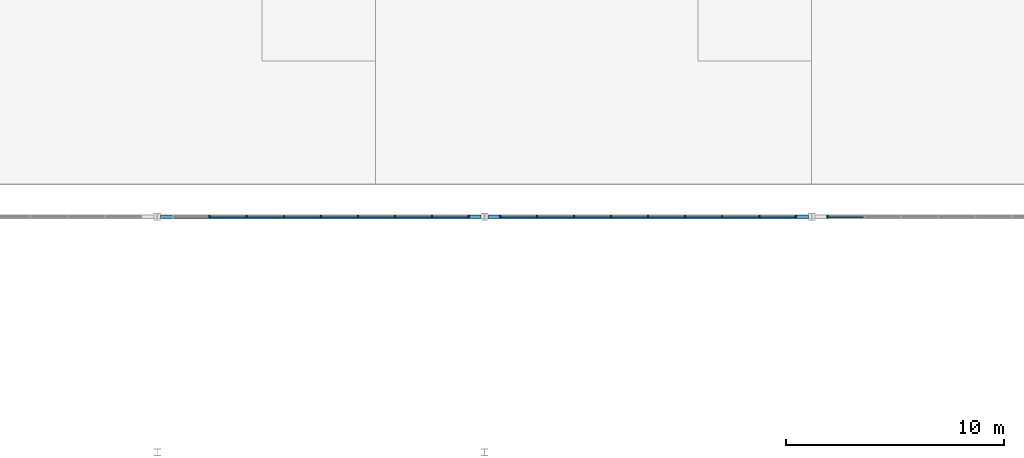
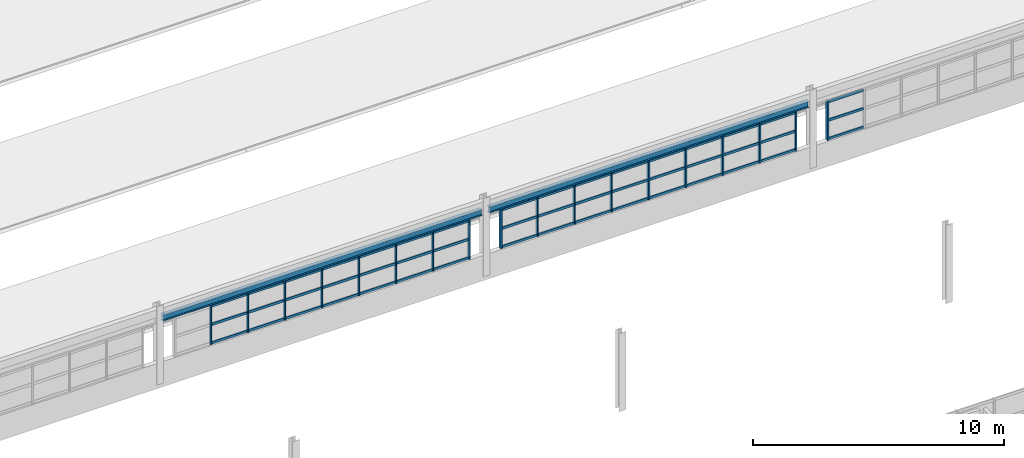
# One storey, part 20 of 90: 66 members, 2 beams, 3 elements without a shape of their own.
"""IFC4 building model written with IfcOpenShell, lengths in metres."""

import ifcopenshell
import ifcopenshell.guid

model = None  # the IFC model being written
_history = None  # IfcOwnerHistory: only IFC2X3 demands one
_inside = {}  # id of a spatial element -> (the spatial element, [elements in it])
_under = {}  # id of a project, library or spatial element -> (it, [spatial elements below it])
_declared = {}  # id of a project -> (the project, [libraries it declares])
_typed = {}  # id of a type object -> (the type object, [elements of that type])
_made_of = {}  # id of a material, layer set ... -> (it, [elements and type objects made of it])


def new_model(schema):
    """Start an empty IFC model of exactly this schema.

    Asked for "IFC4X3", IfcOpenShell would pick the latest addendum, in which some entities
    have other attributes; the version numbers below select the first issue.
    IFC2X3 requires an IfcOwnerHistory on every rooted entity: one is made here for all.
    """
    global model, _history
    if schema == "IFC4X3":
        model = ifcopenshell.file(schema_version=(4, 3, 0, 0))
    else:
        model = ifcopenshell.file(schema=schema)
    _inside.clear()
    _under.clear()
    _declared.clear()
    _typed.clear()
    _made_of.clear()
    _history = None
    if model.schema == "IFC2X3":
        org = make("IfcOrganization", Name="unknown")
        user = make(
            "IfcPersonAndOrganization",
            ThePerson=make("IfcPerson", FamilyName="unknown"),
            TheOrganization=org,
        )
        app = make(
            "IfcApplication",
            ApplicationDeveloper=org,
            Version="unknown",
            ApplicationFullName="unknown",
            ApplicationIdentifier="unknown",
        )
        _history = make(
            "IfcOwnerHistory",
            OwningUser=user,
            OwningApplication=app,
            ChangeAction="ADDED",
            CreationDate=0,
        )
    return model


def make(cls, **values):
    """One entity of the class cls with the attributes given. An attribute that is None is left unset."""
    return model.create_entity(
        cls, **{name: value for name, value in values.items() if value is not None}
    )


def rooted(cls, **values):
    """An entity with a GlobalId (a new one), such as an element, a storey or a relation."""
    return make(cls, GlobalId=ifcopenshell.guid.new(), OwnerHistory=_history, **values)


def si_unit(unit_type, name, prefix=None):
    """IfcSIUnit, for example si_unit("LENGTHUNIT", "METRE", prefix="MILLI")."""
    return make("IfcSIUnit", UnitType=unit_type, Prefix=prefix, Name=name)


def assignment(units):
    """IfcUnitAssignment: the units of a project."""
    return None if units is None else make("IfcUnitAssignment", Units=units)


def point(xyz):
    """IfcCartesianPoint."""
    return None if xyz is None else make("IfcCartesianPoint", Coordinates=xyz)


def direction(xyz):
    """IfcDirection."""
    return None if xyz is None else make("IfcDirection", DirectionRatios=xyz)


def frame(location, z_axis=None, x_axis=None):
    """IfcAxis2Placement3D, a coordinate frame: its origin and axes. An axis left out is left unset."""
    return make(
        "IfcAxis2Placement3D",
        Location=point(location),
        Axis=direction(z_axis),
        RefDirection=direction(x_axis),
    )


def frame_2d(location, x_axis=None):
    """IfcAxis2Placement2D, a coordinate frame in the plane: its origin and x axis."""
    return make(
        "IfcAxis2Placement2D", Location=point(location), RefDirection=direction(x_axis)
    )


def origin():
    """The frame at (0, 0, 0) with its axes left unset."""
    return frame((0.0, 0.0, 0.0))


def origin_2d():
    """The frame at (0, 0) in the plane with its x axis left unset."""
    return frame_2d((0.0, 0.0))


def place(relative_to, where):
    """IfcLocalPlacement: puts the frame where relative to a parent placement (None: the world)."""
    return make(
        "IfcLocalPlacement", PlacementRelTo=relative_to, RelativePlacement=where
    )


def context(
    kind, dimensions, precision=None, world=None, true_north=None, identifier=None
):
    """IfcGeometricRepresentationContext, for example the 3D "Model" context."""
    return make(
        "IfcGeometricRepresentationContext",
        ContextIdentifier=identifier,
        ContextType=kind,
        CoordinateSpaceDimension=dimensions,
        Precision=precision,
        WorldCoordinateSystem=world,
        TrueNorth=true_north,
    )


def subcontext(parent, identifier, kind, view, scale=None):
    """IfcGeometricRepresentationSubContext, for example "Body" below "Model"."""
    return make(
        "IfcGeometricRepresentationSubContext",
        ContextIdentifier=identifier,
        ContextType=kind,
        ParentContext=parent,
        TargetScale=scale,
        TargetView=view,
    )


def project(units=None, contexts=None):
    """IfcProject with its units and contexts."""
    return rooted(
        "IfcProject",
        Name="project",
        RepresentationContexts=contexts,
        UnitsInContext=assignment(units),
    )


def spatial(cls, under=None, at=None, **own):
    """A site, building, storey or space (cls), placed at a placement, below another one or the project."""
    s = rooted(cls, ObjectPlacement=at, **own)
    if under is not None:
        _under.setdefault(under.id(), (under, []))[1].append(s)
    return s


def profile(cls, at=None, kind="AREA", **sizes):
    """A parametric profile (cls). Its sizes go by their IFC names, for example OverallWidth=200.0."""
    return make(cls, ProfileType=kind, Position=at, **sizes)


def rectangle(**sizes):
    """IfcRectangleProfileDef."""
    return profile("IfcRectangleProfileDef", **sizes)


def i_section(**sizes):
    """IfcIShapeProfileDef."""
    return profile("IfcIShapeProfileDef", **sizes)


def extrude(swept, where, along, depth):
    """IfcExtrudedAreaSolid: the profile swept, set in the frame where, extruded along a direction by depth."""
    return make(
        "IfcExtrudedAreaSolid",
        SweptArea=swept,
        Position=where,
        ExtrudedDirection=direction(along),
        Depth=depth,
    )


def shape(context_of_items, identifier, shape_type, items):
    """IfcShapeRepresentation: the items that make up one representation, for example the "Body"."""
    return make(
        "IfcShapeRepresentation",
        ContextOfItems=context_of_items,
        RepresentationIdentifier=identifier,
        RepresentationType=shape_type,
        Items=items,
    )


def material(Name=None, Category=None):
    """IfcMaterial."""
    return make("IfcMaterial", Name=Name, Category=Category)


def material_profile(
    of_material, cross_section, Name=None, Category=None, Priority=None
):
    """IfcMaterialProfile: a cross section and its material."""
    return make(
        "IfcMaterialProfile",
        Name=Name,
        Material=of_material,
        Profile=cross_section,
        Priority=Priority,
        Category=Category,
    )


def profile_set(profiles, Name=None, composite=None):
    """IfcMaterialProfileSet."""
    return make(
        "IfcMaterialProfileSet",
        Name=Name,
        MaterialProfiles=profiles,
        CompositeProfile=composite,
    )


def made_of(thing, what):
    """Note that an element or type object is made of a material, layer set ...; save() writes the relation."""
    if what is not None:
        _made_of.setdefault(what.id(), (what, []))[1].append(thing)
    return thing


def type_object(cls, material=None, **own):
    """A type object (cls), such as IfcWallType, which elements share."""
    return made_of(rooted(cls, **own), material)


def element(
    cls,
    number,
    at=None,
    inside=None,
    cuts=None,
    type_object=None,
    material=None,
    context=None,
    identifier="Body",
    shape_type=None,
    held_by="IfcProductDefinitionShape",
    body=None,
    shapes=None,
    **own,
):
    """One element of the class cls, such as IfcWall. Its Tag is "e" and its number.

    at: its placement. inside: the storey or other place that contains it. cuts: it is an
    opening in that element (IfcRelVoidsElement). A single representation is given by context,
    identifier, shape_type and body (its items); several are given by shapes. held_by: the class
    of the entity that holds the representations. save() writes the other relations.
    """
    e = rooted(cls, Tag="e%d" % number, ObjectPlacement=at, **own)
    if body is not None:
        shapes = [shape(context, identifier, shape_type, body)]
    if shapes is not None:
        e.Representation = make(held_by, Representations=shapes)
    if inside is not None:
        _inside.setdefault(inside.id(), (inside, []))[1].append(e)
    if cuts is not None:
        rooted(
            "IfcRelVoidsElement", RelatingBuildingElement=cuts, RelatedOpeningElement=e
        )
    if type_object is not None:
        _typed.setdefault(type_object.id(), (type_object, []))[1].append(e)
    return made_of(e, material)


def aggregate(whole, parts):
    """IfcRelAggregates: a whole, such as a stair, and the parts it consists of."""
    return rooted("IfcRelAggregates", RelatingObject=whole, RelatedObjects=parts)


def save(model, path):
    """Write the relations noted so far, then the file.

    IfcRelAggregates (storeys below a building ...), IfcRelContainedInSpatialStructure (elements
    in a storey), IfcRelDefinesByType, IfcRelAssociatesMaterial and IfcRelDeclares: one each for
    every whole, place, type object, material and project.
    """
    for whole, parts in _under.values():
        aggregate(whole, parts)
    for where, things in _inside.values():
        rooted(
            "IfcRelContainedInSpatialStructure",
            RelatedElements=things,
            RelatingStructure=where,
        )
    for kind, things in _typed.values():
        rooted("IfcRelDefinesByType", RelatedObjects=things, RelatingType=kind)
    for what, things in _made_of.values():
        rooted("IfcRelAssociatesMaterial", RelatedObjects=things, RelatingMaterial=what)
    for by, libraries in _declared.values():
        rooted("IfcRelDeclares", RelatingContext=by, RelatedDefinitions=libraries)
    model.write(path)


model = new_model("IFC4")

# Units and contexts
model_context = context("Model", 3, precision=1e-05, world=origin(), true_north=direction((0.0, 1.0)))
body_context = subcontext(model_context, "Body", "Model", "MODEL_VIEW")
ifc_project = project(units=[si_unit("LENGTHUNIT", "METRE"), si_unit("AREAUNIT", "SQUARE_METRE"), si_unit("VOLUMEUNIT", "CUBIC_METRE"), si_unit("PLANEANGLEUNIT", "RADIAN"), si_unit("MASSUNIT", "GRAM", prefix="KILO")], contexts=[model_context])

# Site, building, storey
site_placement = place(None, origin())
site = spatial("IfcSite", under=ifc_project, at=site_placement, CompositionType="ELEMENT")
building_placement = place(site_placement, origin())
building = spatial("IfcBuilding", under=site, at=building_placement, Name="Solanera Park Tramway Depot", CompositionType="ELEMENT")
storey_placement = place(building_placement, frame((0.0, 0.0, 9.0)))
storey = spatial("IfcBuildingStorey", under=building, at=storey_placement, Name="L02", CompositionType="ELEMENT", Elevation=9.0)

# Curtain wall, members
ifc_material_1 = material(Name="Bronze-anodised thermally broken aluminium curtain wall", Category="aluminium")
curtain_wall_type = type_object("IfcCurtainWallType", Name="Workshop Daylight Ribbon Curtain Wall", PredefinedType="NOTDEFINED", material=ifc_material_1)
curtain_wall_1_placement = place(storey_placement, origin())
curtain_wall_1 = element("IfcCurtainWall", 1, at=curtain_wall_1_placement, inside=storey, type_object=curtain_wall_type, Name="L02 Workshop Daylight Ribbon Curtain Wall #156", PredefinedType="NOTDEFINED")
ifc_material_2 = material(Name="Bronze-anodised structural aluminium 6063-T6", Category="aluminium")
ifc_material_profile_1 = material_profile(ifc_material_2, rectangle(XDim=0.06494140625, YDim=0.14990234375, at=origin_2d()), Name="Curtain Wall Mullion 65x150")
ifc_profile_set_1 = profile_set([ifc_material_profile_1], Name="Bronze-anodised structural aluminium 6063-T6")
member_type_1 = type_object("IfcMemberType", Name="Curtain Wall Mullion 65x150", PredefinedType="MULLION", material=ifc_profile_set_1)
member_1_placement = place(storey_placement, frame((44.267578125, 54.0, 1.0), z_axis=(0.0, 0.0, 1.0), x_axis=(1.0, 0.0, 0.0)))
member_1 = element("IfcMember", 2, at=member_1_placement, type_object=member_type_1, Name="CW-L02-156 Mullion 1", PredefinedType="MULLION", context=body_context, shape_type="SweptSolid", body=[
    extrude(rectangle(XDim=0.06494140625, YDim=0.14990234375, at=origin_2d()), origin(), (0.0, 0.0, 1.0), 1.919921875),
])
member_2_placement = place(storey_placement, frame((42.60009765625, 54.0, 1.0), z_axis=(0.0, 0.0, 1.0), x_axis=(1.0, 0.0, 0.0)))
member_2 = element("IfcMember", 3, at=member_2_placement, type_object=member_type_1, Name="CW-L02-156 Mullion 2", PredefinedType="MULLION", context=body_context, shape_type="SweptSolid", body=[
    extrude(rectangle(XDim=0.06494140625, YDim=0.14990234375, at=origin_2d()), origin(), (0.0, 0.0, 1.0), 1.919921875),
])
member_3_placement = place(storey_placement, frame((40.89990234375, 54.0, 1.0), z_axis=(0.0, 0.0, 1.0), x_axis=(1.0, 0.0, 0.0)))
member_3 = element("IfcMember", 4, at=member_3_placement, type_object=member_type_1, Name="CW-L02-156 Mullion 3", PredefinedType="MULLION", context=body_context, shape_type="SweptSolid", body=[
    extrude(rectangle(XDim=0.06494140625, YDim=0.14990234375, at=origin_2d()), origin(), (0.0, 0.0, 1.0), 1.919921875),
])
member_4_placement = place(storey_placement, frame((39.199951171875, 54.0, 1.0), z_axis=(0.0, 0.0, 1.0), x_axis=(1.0, 0.0, 0.0)))
member_4 = element("IfcMember", 5, at=member_4_placement, type_object=member_type_1, Name="CW-L02-156 Mullion 4", PredefinedType="MULLION", context=body_context, shape_type="SweptSolid", body=[
    extrude(rectangle(XDim=0.06494140625, YDim=0.14990234375, at=origin_2d()), origin(), (0.0, 0.0, 1.0), 1.919921875),
])
member_5_placement = place(storey_placement, frame((37.5, 54.0, 1.0), z_axis=(0.0, 0.0, 1.0), x_axis=(1.0, 0.0, 0.0)))
member_5 = element("IfcMember", 6, at=member_5_placement, type_object=member_type_1, Name="CW-L02-156 Mullion 5", PredefinedType="MULLION", context=body_context, shape_type="SweptSolid", body=[
    extrude(rectangle(XDim=0.06494140625, YDim=0.14990234375, at=origin_2d()), origin(), (0.0, 0.0, 1.0), 1.919921875),
])
member_6_placement = place(storey_placement, frame((35.800048828125, 54.0, 1.0), z_axis=(0.0, 0.0, 1.0), x_axis=(1.0, 0.0, 0.0)))
member_6 = element("IfcMember", 7, at=member_6_placement, type_object=member_type_1, Name="CW-L02-156 Mullion 6", PredefinedType="MULLION", context=body_context, shape_type="SweptSolid", body=[
    extrude(rectangle(XDim=0.06494140625, YDim=0.14990234375, at=origin_2d()), origin(), (0.0, 0.0, 1.0), 1.919921875),
])
member_7_placement = place(storey_placement, frame((34.10009765625, 54.0, 1.0), z_axis=(0.0, 0.0, 1.0), x_axis=(1.0, 0.0, 0.0)))
member_7 = element("IfcMember", 8, at=member_7_placement, type_object=member_type_1, Name="CW-L02-156 Mullion 7", PredefinedType="MULLION", context=body_context, shape_type="SweptSolid", body=[
    extrude(rectangle(XDim=0.06494140625, YDim=0.14990234375, at=origin_2d()), origin(), (0.0, 0.0, 1.0), 1.919921875),
])
member_8_placement = place(storey_placement, frame((32.39990234375, 54.0, 1.0), z_axis=(0.0, 0.0, 1.0), x_axis=(1.0, 0.0, 0.0)))
member_8 = element("IfcMember", 9, at=member_8_placement, type_object=member_type_1, Name="CW-L02-156 Mullion 8", PredefinedType="MULLION", context=body_context, shape_type="SweptSolid", body=[
    extrude(rectangle(XDim=0.06494140625, YDim=0.14990234375, at=origin_2d()), origin(), (0.0, 0.0, 1.0), 1.919921875),
])

curtain_wall_2_placement = place(storey_placement, origin())
curtain_wall_2 = element("IfcCurtainWall", 10, at=curtain_wall_2_placement, inside=storey, type_object=curtain_wall_type, Name="L02 Workshop Daylight Ribbon Curtain Wall #158", PredefinedType="NOTDEFINED")
member_9_placement = place(storey_placement, frame((59.267578125, 54.0, 1.0), z_axis=(0.0, 0.0, 1.0), x_axis=(1.0, 0.0, 0.0)))
member_9 = element("IfcMember", 11, at=member_9_placement, type_object=member_type_1, Name="CW-L02-158 Mullion 1", PredefinedType="MULLION", context=body_context, shape_type="SweptSolid", body=[
    extrude(rectangle(XDim=0.06494140625, YDim=0.14990234375, at=origin_2d()), origin(), (0.0, 0.0, 1.0), 1.919921875),
])
member_10_placement = place(storey_placement, frame((57.60009765625, 54.0, 1.0), z_axis=(0.0, 0.0, 1.0), x_axis=(1.0, 0.0, 0.0)))
member_10 = element("IfcMember", 12, at=member_10_placement, type_object=member_type_1, Name="CW-L02-158 Mullion 2", PredefinedType="MULLION", context=body_context, shape_type="SweptSolid", body=[
    extrude(rectangle(XDim=0.06494140625, YDim=0.14990234375, at=origin_2d()), origin(), (0.0, 0.0, 1.0), 1.919921875),
])
member_11_placement = place(storey_placement, frame((55.89990234375, 54.0, 1.0), z_axis=(0.0, 0.0, 1.0), x_axis=(1.0, 0.0, 0.0)))
member_11 = element("IfcMember", 13, at=member_11_placement, type_object=member_type_1, Name="CW-L02-158 Mullion 3", PredefinedType="MULLION", context=body_context, shape_type="SweptSolid", body=[
    extrude(rectangle(XDim=0.06494140625, YDim=0.14990234375, at=origin_2d()), origin(), (0.0, 0.0, 1.0), 1.919921875),
])
member_12_placement = place(storey_placement, frame((54.199951171875, 54.0, 1.0), z_axis=(0.0, 0.0, 1.0), x_axis=(1.0, 0.0, 0.0)))
member_12 = element("IfcMember", 14, at=member_12_placement, type_object=member_type_1, Name="CW-L02-158 Mullion 4", PredefinedType="MULLION", context=body_context, shape_type="SweptSolid", body=[
    extrude(rectangle(XDim=0.06494140625, YDim=0.14990234375, at=origin_2d()), origin(), (0.0, 0.0, 1.0), 1.919921875),
])
member_13_placement = place(storey_placement, frame((52.5, 54.0, 1.0), z_axis=(0.0, 0.0, 1.0), x_axis=(1.0, 0.0, 0.0)))
member_13 = element("IfcMember", 15, at=member_13_placement, type_object=member_type_1, Name="CW-L02-158 Mullion 5", PredefinedType="MULLION", context=body_context, shape_type="SweptSolid", body=[
    extrude(rectangle(XDim=0.06494140625, YDim=0.14990234375, at=origin_2d()), origin(), (0.0, 0.0, 1.0), 1.919921875),
])
member_14_placement = place(storey_placement, frame((50.800048828125, 54.0, 1.0), z_axis=(0.0, 0.0, 1.0), x_axis=(1.0, 0.0, 0.0)))
member_14 = element("IfcMember", 16, at=member_14_placement, type_object=member_type_1, Name="CW-L02-158 Mullion 6", PredefinedType="MULLION", context=body_context, shape_type="SweptSolid", body=[
    extrude(rectangle(XDim=0.06494140625, YDim=0.14990234375, at=origin_2d()), origin(), (0.0, 0.0, 1.0), 1.919921875),
])
member_15_placement = place(storey_placement, frame((49.10009765625, 54.0, 1.0), z_axis=(0.0, 0.0, 1.0), x_axis=(1.0, 0.0, 0.0)))
member_15 = element("IfcMember", 17, at=member_15_placement, type_object=member_type_1, Name="CW-L02-158 Mullion 7", PredefinedType="MULLION", context=body_context, shape_type="SweptSolid", body=[
    extrude(rectangle(XDim=0.06494140625, YDim=0.14990234375, at=origin_2d()), origin(), (0.0, 0.0, 1.0), 1.919921875),
])
member_16_placement = place(storey_placement, frame((47.39990234375, 54.0, 1.0), z_axis=(0.0, 0.0, 1.0), x_axis=(1.0, 0.0, 0.0)))
member_16 = element("IfcMember", 18, at=member_16_placement, type_object=member_type_1, Name="CW-L02-158 Mullion 8", PredefinedType="MULLION", context=body_context, shape_type="SweptSolid", body=[
    extrude(rectangle(XDim=0.06494140625, YDim=0.14990234375, at=origin_2d()), origin(), (0.0, 0.0, 1.0), 1.919921875),
])
member_17_placement = place(storey_placement, frame((45.732421875, 54.0, 1.0), z_axis=(0.0, 0.0, 1.0), x_axis=(1.0, 0.0, 0.0)))
member_17 = element("IfcMember", 19, at=member_17_placement, type_object=member_type_1, Name="CW-L02-158 Mullion 9", PredefinedType="MULLION", context=body_context, shape_type="SweptSolid", body=[
    extrude(rectangle(XDim=0.06494140625, YDim=0.14990234375, at=origin_2d()), origin(), (0.0, 0.0, 1.0), 1.919921875),
])

# Curtain wall, member
curtain_wall_3_placement = place(storey_placement, origin())
curtain_wall_3 = element("IfcCurtainWall", 20, at=curtain_wall_3_placement, inside=storey, type_object=curtain_wall_type, Name="L02 Workshop Daylight Ribbon Curtain Wall #160", PredefinedType="NOTDEFINED")
member_18_placement = place(storey_placement, frame((60.732421875, 54.0, 1.0), z_axis=(0.0, 0.0, 1.0), x_axis=(1.0, 0.0, 0.0)))
member_18 = element("IfcMember", 21, at=member_18_placement, type_object=member_type_1, Name="CW-L02-160 Mullion 9", PredefinedType="MULLION", context=body_context, shape_type="SweptSolid", body=[
    extrude(rectangle(XDim=0.06494140625, YDim=0.14990234375, at=origin_2d()), origin(), (0.0, 0.0, 1.0), 1.919921875),
])

# Member
ifc_material_3 = material(Name="Bronze-anodised structural aluminium 6063-T6", Category="aluminium")
ifc_material_profile_2 = material_profile(ifc_material_3, rectangle(XDim=0.06494140625, YDim=0.1201171875, at=origin_2d()), Name="Curtain Wall Transom 65x120")
ifc_profile_set_2 = profile_set([ifc_material_profile_2], Name="Bronze-anodised structural aluminium 6063-T6")
member_type_2 = type_object("IfcMemberType", Name="Curtain Wall Transom 65x120", PredefinedType="USERDEFINED", material=ifc_profile_set_2)
member_19_placement = place(storey_placement, frame((44.239501953125, 54.0, 1.06005859375), z_axis=(-1.0, 0.0, 0.0), x_axis=(0.0, -1.0, 0.0)))
member_19 = element("IfcMember", 22, at=member_19_placement, type_object=member_type_2, Name="CW-L02-156 Transom R1.C1", ObjectType="TRANSOM", PredefinedType="USERDEFINED", context=body_context, shape_type="SweptSolid", body=[
    extrude(rectangle(XDim=0.06494140625, YDim=0.1201171875, at=origin_2d()), origin(), (0.0, 0.0, 1.0), 1.611572265625),
])

member_20_placement = place(storey_placement, frame((42.572021484375, 54.0, 1.06005859375), z_axis=(-1.0, 0.0, 0.0), x_axis=(0.0, -1.0, 0.0)))
member_20 = element("IfcMember", 23, at=member_20_placement, type_object=member_type_2, Name="CW-L02-156 Transom R1.C2", ObjectType="TRANSOM", PredefinedType="USERDEFINED", context=body_context, shape_type="SweptSolid", body=[
    extrude(rectangle(XDim=0.06494140625, YDim=0.1201171875, at=origin_2d()), origin(), (0.0, 0.0, 1.0), 1.64404296875),
])

member_21_placement = place(storey_placement, frame((40.8720703125, 54.0, 1.06005859375), z_axis=(-1.0, 0.0, 0.0), x_axis=(0.0, -1.0, 0.0)))
member_21 = element("IfcMember", 24, at=member_21_placement, type_object=member_type_2, Name="CW-L02-156 Transom R1.C3", ObjectType="TRANSOM", PredefinedType="USERDEFINED", context=body_context, shape_type="SweptSolid", body=[
    extrude(rectangle(XDim=0.06494140625, YDim=0.1201171875, at=origin_2d()), origin(), (0.0, 0.0, 1.0), 1.64404296875),
])

member_22_placement = place(storey_placement, frame((39.172119140625, 54.0, 1.06005859375), z_axis=(-1.0, 0.0, 0.0), x_axis=(0.0, -1.0, 0.0)))
member_22 = element("IfcMember", 25, at=member_22_placement, type_object=member_type_2, Name="CW-L02-156 Transom R1.C4", ObjectType="TRANSOM", PredefinedType="USERDEFINED", context=body_context, shape_type="SweptSolid", body=[
    extrude(rectangle(XDim=0.06494140625, YDim=0.1201171875, at=origin_2d()), origin(), (0.0, 0.0, 1.0), 1.64404296875),
])

member_23_placement = place(storey_placement, frame((37.471923828125, 54.0, 1.06005859375), z_axis=(-1.0, 0.0, 0.0), x_axis=(0.0, -1.0, 0.0)))
member_23 = element("IfcMember", 26, at=member_23_placement, type_object=member_type_2, Name="CW-L02-156 Transom R1.C5", ObjectType="TRANSOM", PredefinedType="USERDEFINED", context=body_context, shape_type="SweptSolid", body=[
    extrude(rectangle(XDim=0.06494140625, YDim=0.1201171875, at=origin_2d()), origin(), (0.0, 0.0, 1.0), 1.64404296875),
])

member_24_placement = place(storey_placement, frame((35.77197265625, 54.0, 1.06005859375), z_axis=(-1.0, 0.0, 0.0), x_axis=(0.0, -1.0, 0.0)))
member_24 = element("IfcMember", 27, at=member_24_placement, type_object=member_type_2, Name="CW-L02-156 Transom R1.C6", ObjectType="TRANSOM", PredefinedType="USERDEFINED", context=body_context, shape_type="SweptSolid", body=[
    extrude(rectangle(XDim=0.06494140625, YDim=0.1201171875, at=origin_2d()), origin(), (0.0, 0.0, 1.0), 1.64404296875),
])

member_25_placement = place(storey_placement, frame((34.072021484375, 54.0, 1.06005859375), z_axis=(-1.0, 0.0, 0.0), x_axis=(0.0, -1.0, 0.0)))
member_25 = element("IfcMember", 28, at=member_25_placement, type_object=member_type_2, Name="CW-L02-156 Transom R1.C7", ObjectType="TRANSOM", PredefinedType="USERDEFINED", context=body_context, shape_type="SweptSolid", body=[
    extrude(rectangle(XDim=0.06494140625, YDim=0.1201171875, at=origin_2d()), origin(), (0.0, 0.0, 1.0), 1.64404296875),
])

member_26_placement = place(storey_placement, frame((44.239501953125, 54.0, 1.9599609375), z_axis=(-1.0, 0.0, 0.0), x_axis=(0.0, -1.0, 0.0)))
member_26 = element("IfcMember", 29, at=member_26_placement, type_object=member_type_2, Name="CW-L02-156 Transom R2.C1", ObjectType="TRANSOM", PredefinedType="USERDEFINED", context=body_context, shape_type="SweptSolid", body=[
    extrude(rectangle(XDim=0.06494140625, YDim=0.1201171875, at=origin_2d()), origin(), (0.0, 0.0, 1.0), 1.611572265625),
])

member_27_placement = place(storey_placement, frame((42.572021484375, 54.0, 1.9599609375), z_axis=(-1.0, 0.0, 0.0), x_axis=(0.0, -1.0, 0.0)))
member_27 = element("IfcMember", 30, at=member_27_placement, type_object=member_type_2, Name="CW-L02-156 Transom R2.C2", ObjectType="TRANSOM", PredefinedType="USERDEFINED", context=body_context, shape_type="SweptSolid", body=[
    extrude(rectangle(XDim=0.06494140625, YDim=0.1201171875, at=origin_2d()), origin(), (0.0, 0.0, 1.0), 1.64404296875),
])

member_28_placement = place(storey_placement, frame((40.8720703125, 54.0, 1.9599609375), z_axis=(-1.0, 0.0, 0.0), x_axis=(0.0, -1.0, 0.0)))
member_28 = element("IfcMember", 31, at=member_28_placement, type_object=member_type_2, Name="CW-L02-156 Transom R2.C3", ObjectType="TRANSOM", PredefinedType="USERDEFINED", context=body_context, shape_type="SweptSolid", body=[
    extrude(rectangle(XDim=0.06494140625, YDim=0.1201171875, at=origin_2d()), origin(), (0.0, 0.0, 1.0), 1.64404296875),
])

member_29_placement = place(storey_placement, frame((39.172119140625, 54.0, 1.9599609375), z_axis=(-1.0, 0.0, 0.0), x_axis=(0.0, -1.0, 0.0)))
member_29 = element("IfcMember", 32, at=member_29_placement, type_object=member_type_2, Name="CW-L02-156 Transom R2.C4", ObjectType="TRANSOM", PredefinedType="USERDEFINED", context=body_context, shape_type="SweptSolid", body=[
    extrude(rectangle(XDim=0.06494140625, YDim=0.1201171875, at=origin_2d()), origin(), (0.0, 0.0, 1.0), 1.64404296875),
])

member_30_placement = place(storey_placement, frame((37.471923828125, 54.0, 1.9599609375), z_axis=(-1.0, 0.0, 0.0), x_axis=(0.0, -1.0, 0.0)))
member_30 = element("IfcMember", 33, at=member_30_placement, type_object=member_type_2, Name="CW-L02-156 Transom R2.C5", ObjectType="TRANSOM", PredefinedType="USERDEFINED", context=body_context, shape_type="SweptSolid", body=[
    extrude(rectangle(XDim=0.06494140625, YDim=0.1201171875, at=origin_2d()), origin(), (0.0, 0.0, 1.0), 1.64404296875),
])

member_31_placement = place(storey_placement, frame((35.77197265625, 54.0, 1.9599609375), z_axis=(-1.0, 0.0, 0.0), x_axis=(0.0, -1.0, 0.0)))
member_31 = element("IfcMember", 34, at=member_31_placement, type_object=member_type_2, Name="CW-L02-156 Transom R2.C6", ObjectType="TRANSOM", PredefinedType="USERDEFINED", context=body_context, shape_type="SweptSolid", body=[
    extrude(rectangle(XDim=0.06494140625, YDim=0.1201171875, at=origin_2d()), origin(), (0.0, 0.0, 1.0), 1.64404296875),
])

member_32_placement = place(storey_placement, frame((34.072021484375, 54.0, 1.9599609375), z_axis=(-1.0, 0.0, 0.0), x_axis=(0.0, -1.0, 0.0)))
member_32 = element("IfcMember", 35, at=member_32_placement, type_object=member_type_2, Name="CW-L02-156 Transom R2.C7", ObjectType="TRANSOM", PredefinedType="USERDEFINED", context=body_context, shape_type="SweptSolid", body=[
    extrude(rectangle(XDim=0.06494140625, YDim=0.1201171875, at=origin_2d()), origin(), (0.0, 0.0, 1.0), 1.64404296875),
])

member_33_placement = place(storey_placement, frame((44.239501953125, 54.0, 2.860107421875), z_axis=(-1.0, 0.0, 0.0), x_axis=(0.0, -1.0, 0.0)))
member_33 = element("IfcMember", 36, at=member_33_placement, type_object=member_type_2, Name="CW-L02-156 Transom R3.C1", ObjectType="TRANSOM", PredefinedType="USERDEFINED", context=body_context, shape_type="SweptSolid", body=[
    extrude(rectangle(XDim=0.06494140625, YDim=0.1201171875, at=origin_2d()), origin(), (0.0, 0.0, 1.0), 1.611572265625),
])

member_34_placement = place(storey_placement, frame((42.572021484375, 54.0, 2.860107421875), z_axis=(-1.0, 0.0, 0.0), x_axis=(0.0, -1.0, 0.0)))
member_34 = element("IfcMember", 37, at=member_34_placement, type_object=member_type_2, Name="CW-L02-156 Transom R3.C2", ObjectType="TRANSOM", PredefinedType="USERDEFINED", context=body_context, shape_type="SweptSolid", body=[
    extrude(rectangle(XDim=0.06494140625, YDim=0.1201171875, at=origin_2d()), origin(), (0.0, 0.0, 1.0), 1.64404296875),
])

member_35_placement = place(storey_placement, frame((40.8720703125, 54.0, 2.860107421875), z_axis=(-1.0, 0.0, 0.0), x_axis=(0.0, -1.0, 0.0)))
member_35 = element("IfcMember", 38, at=member_35_placement, type_object=member_type_2, Name="CW-L02-156 Transom R3.C3", ObjectType="TRANSOM", PredefinedType="USERDEFINED", context=body_context, shape_type="SweptSolid", body=[
    extrude(rectangle(XDim=0.06494140625, YDim=0.1201171875, at=origin_2d()), origin(), (0.0, 0.0, 1.0), 1.64404296875),
])

member_36_placement = place(storey_placement, frame((39.172119140625, 54.0, 2.860107421875), z_axis=(-1.0, 0.0, 0.0), x_axis=(0.0, -1.0, 0.0)))
member_36 = element("IfcMember", 39, at=member_36_placement, type_object=member_type_2, Name="CW-L02-156 Transom R3.C4", ObjectType="TRANSOM", PredefinedType="USERDEFINED", context=body_context, shape_type="SweptSolid", body=[
    extrude(rectangle(XDim=0.06494140625, YDim=0.1201171875, at=origin_2d()), origin(), (0.0, 0.0, 1.0), 1.64404296875),
])

member_37_placement = place(storey_placement, frame((37.471923828125, 54.0, 2.860107421875), z_axis=(-1.0, 0.0, 0.0), x_axis=(0.0, -1.0, 0.0)))
member_37 = element("IfcMember", 40, at=member_37_placement, type_object=member_type_2, Name="CW-L02-156 Transom R3.C5", ObjectType="TRANSOM", PredefinedType="USERDEFINED", context=body_context, shape_type="SweptSolid", body=[
    extrude(rectangle(XDim=0.06494140625, YDim=0.1201171875, at=origin_2d()), origin(), (0.0, 0.0, 1.0), 1.64404296875),
])

member_38_placement = place(storey_placement, frame((35.77197265625, 54.0, 2.860107421875), z_axis=(-1.0, 0.0, 0.0), x_axis=(0.0, -1.0, 0.0)))
member_38 = element("IfcMember", 41, at=member_38_placement, type_object=member_type_2, Name="CW-L02-156 Transom R3.C6", ObjectType="TRANSOM", PredefinedType="USERDEFINED", context=body_context, shape_type="SweptSolid", body=[
    extrude(rectangle(XDim=0.06494140625, YDim=0.1201171875, at=origin_2d()), origin(), (0.0, 0.0, 1.0), 1.64404296875),
])

member_39_placement = place(storey_placement, frame((34.072021484375, 54.0, 2.860107421875), z_axis=(-1.0, 0.0, 0.0), x_axis=(0.0, -1.0, 0.0)))
member_39 = element("IfcMember", 42, at=member_39_placement, type_object=member_type_2, Name="CW-L02-156 Transom R3.C7", ObjectType="TRANSOM", PredefinedType="USERDEFINED", context=body_context, shape_type="SweptSolid", body=[
    extrude(rectangle(XDim=0.06494140625, YDim=0.1201171875, at=origin_2d()), origin(), (0.0, 0.0, 1.0), 1.64404296875),
])

aggregate(curtain_wall_1, [member_1, member_2, member_3, member_4, member_5, member_6, member_7, member_8, member_19, member_20, member_21, member_22, member_23, member_24, member_25, member_26, member_27, member_28, member_29, member_30, member_31, member_32, member_33, member_34, member_35, member_36, member_37, member_38, member_39])

member_40_placement = place(storey_placement, frame((59.239501953125, 54.0, 1.06005859375), z_axis=(-1.0, 0.0, 0.0), x_axis=(0.0, -1.0, 0.0)))
member_40 = element("IfcMember", 43, at=member_40_placement, type_object=member_type_2, Name="CW-L02-158 Transom R1.C1", ObjectType="TRANSOM", PredefinedType="USERDEFINED", context=body_context, shape_type="SweptSolid", body=[
    extrude(rectangle(XDim=0.06494140625, YDim=0.1201171875, at=origin_2d()), origin(), (0.0, 0.0, 1.0), 1.611572265625),
])

member_41_placement = place(storey_placement, frame((57.572021484375, 54.0, 1.06005859375), z_axis=(-1.0, 0.0, 0.0), x_axis=(0.0, -1.0, 0.0)))
member_41 = element("IfcMember", 44, at=member_41_placement, type_object=member_type_2, Name="CW-L02-158 Transom R1.C2", ObjectType="TRANSOM", PredefinedType="USERDEFINED", context=body_context, shape_type="SweptSolid", body=[
    extrude(rectangle(XDim=0.06494140625, YDim=0.1201171875, at=origin_2d()), origin(), (0.0, 0.0, 1.0), 1.64404296875),
])

member_42_placement = place(storey_placement, frame((55.8720703125, 54.0, 1.06005859375), z_axis=(-1.0, 0.0, 0.0), x_axis=(0.0, -1.0, 0.0)))
member_42 = element("IfcMember", 45, at=member_42_placement, type_object=member_type_2, Name="CW-L02-158 Transom R1.C3", ObjectType="TRANSOM", PredefinedType="USERDEFINED", context=body_context, shape_type="SweptSolid", body=[
    extrude(rectangle(XDim=0.06494140625, YDim=0.1201171875, at=origin_2d()), origin(), (0.0, 0.0, 1.0), 1.64404296875),
])

member_43_placement = place(storey_placement, frame((54.172119140625, 54.0, 1.06005859375), z_axis=(-1.0, 0.0, 0.0), x_axis=(0.0, -1.0, 0.0)))
member_43 = element("IfcMember", 46, at=member_43_placement, type_object=member_type_2, Name="CW-L02-158 Transom R1.C4", ObjectType="TRANSOM", PredefinedType="USERDEFINED", context=body_context, shape_type="SweptSolid", body=[
    extrude(rectangle(XDim=0.06494140625, YDim=0.1201171875, at=origin_2d()), origin(), (0.0, 0.0, 1.0), 1.64404296875),
])

member_44_placement = place(storey_placement, frame((52.471923828125, 54.0, 1.06005859375), z_axis=(-1.0, 0.0, 0.0), x_axis=(0.0, -1.0, 0.0)))
member_44 = element("IfcMember", 47, at=member_44_placement, type_object=member_type_2, Name="CW-L02-158 Transom R1.C5", ObjectType="TRANSOM", PredefinedType="USERDEFINED", context=body_context, shape_type="SweptSolid", body=[
    extrude(rectangle(XDim=0.06494140625, YDim=0.1201171875, at=origin_2d()), origin(), (0.0, 0.0, 1.0), 1.64404296875),
])

member_45_placement = place(storey_placement, frame((50.77197265625, 54.0, 1.06005859375), z_axis=(-1.0, 0.0, 0.0), x_axis=(0.0, -1.0, 0.0)))
member_45 = element("IfcMember", 48, at=member_45_placement, type_object=member_type_2, Name="CW-L02-158 Transom R1.C6", ObjectType="TRANSOM", PredefinedType="USERDEFINED", context=body_context, shape_type="SweptSolid", body=[
    extrude(rectangle(XDim=0.06494140625, YDim=0.1201171875, at=origin_2d()), origin(), (0.0, 0.0, 1.0), 1.64404296875),
])

member_46_placement = place(storey_placement, frame((49.072021484375, 54.0, 1.06005859375), z_axis=(-1.0, 0.0, 0.0), x_axis=(0.0, -1.0, 0.0)))
member_46 = element("IfcMember", 49, at=member_46_placement, type_object=member_type_2, Name="CW-L02-158 Transom R1.C7", ObjectType="TRANSOM", PredefinedType="USERDEFINED", context=body_context, shape_type="SweptSolid", body=[
    extrude(rectangle(XDim=0.06494140625, YDim=0.1201171875, at=origin_2d()), origin(), (0.0, 0.0, 1.0), 1.64404296875),
])

member_47_placement = place(storey_placement, frame((47.3720703125, 54.0, 1.06005859375), z_axis=(-1.0, 0.0, 0.0), x_axis=(0.0, -1.0, 0.0)))
member_47 = element("IfcMember", 50, at=member_47_placement, type_object=member_type_2, Name="CW-L02-158 Transom R1.C8", ObjectType="TRANSOM", PredefinedType="USERDEFINED", context=body_context, shape_type="SweptSolid", body=[
    extrude(rectangle(XDim=0.06494140625, YDim=0.1201171875, at=origin_2d()), origin(), (0.0, 0.0, 1.0), 1.611572265625),
])

member_48_placement = place(storey_placement, frame((59.239501953125, 54.0, 1.9599609375), z_axis=(-1.0, 0.0, 0.0), x_axis=(0.0, -1.0, 0.0)))
member_48 = element("IfcMember", 51, at=member_48_placement, type_object=member_type_2, Name="CW-L02-158 Transom R2.C1", ObjectType="TRANSOM", PredefinedType="USERDEFINED", context=body_context, shape_type="SweptSolid", body=[
    extrude(rectangle(XDim=0.06494140625, YDim=0.1201171875, at=origin_2d()), origin(), (0.0, 0.0, 1.0), 1.611572265625),
])

member_49_placement = place(storey_placement, frame((57.572021484375, 54.0, 1.9599609375), z_axis=(-1.0, 0.0, 0.0), x_axis=(0.0, -1.0, 0.0)))
member_49 = element("IfcMember", 52, at=member_49_placement, type_object=member_type_2, Name="CW-L02-158 Transom R2.C2", ObjectType="TRANSOM", PredefinedType="USERDEFINED", context=body_context, shape_type="SweptSolid", body=[
    extrude(rectangle(XDim=0.06494140625, YDim=0.1201171875, at=origin_2d()), origin(), (0.0, 0.0, 1.0), 1.64404296875),
])

member_50_placement = place(storey_placement, frame((55.8720703125, 54.0, 1.9599609375), z_axis=(-1.0, 0.0, 0.0), x_axis=(0.0, -1.0, 0.0)))
member_50 = element("IfcMember", 53, at=member_50_placement, type_object=member_type_2, Name="CW-L02-158 Transom R2.C3", ObjectType="TRANSOM", PredefinedType="USERDEFINED", context=body_context, shape_type="SweptSolid", body=[
    extrude(rectangle(XDim=0.06494140625, YDim=0.1201171875, at=origin_2d()), origin(), (0.0, 0.0, 1.0), 1.64404296875),
])

member_51_placement = place(storey_placement, frame((54.172119140625, 54.0, 1.9599609375), z_axis=(-1.0, 0.0, 0.0), x_axis=(0.0, -1.0, 0.0)))
member_51 = element("IfcMember", 54, at=member_51_placement, type_object=member_type_2, Name="CW-L02-158 Transom R2.C4", ObjectType="TRANSOM", PredefinedType="USERDEFINED", context=body_context, shape_type="SweptSolid", body=[
    extrude(rectangle(XDim=0.06494140625, YDim=0.1201171875, at=origin_2d()), origin(), (0.0, 0.0, 1.0), 1.64404296875),
])

member_52_placement = place(storey_placement, frame((52.471923828125, 54.0, 1.9599609375), z_axis=(-1.0, 0.0, 0.0), x_axis=(0.0, -1.0, 0.0)))
member_52 = element("IfcMember", 55, at=member_52_placement, type_object=member_type_2, Name="CW-L02-158 Transom R2.C5", ObjectType="TRANSOM", PredefinedType="USERDEFINED", context=body_context, shape_type="SweptSolid", body=[
    extrude(rectangle(XDim=0.06494140625, YDim=0.1201171875, at=origin_2d()), origin(), (0.0, 0.0, 1.0), 1.64404296875),
])

member_53_placement = place(storey_placement, frame((50.77197265625, 54.0, 1.9599609375), z_axis=(-1.0, 0.0, 0.0), x_axis=(0.0, -1.0, 0.0)))
member_53 = element("IfcMember", 56, at=member_53_placement, type_object=member_type_2, Name="CW-L02-158 Transom R2.C6", ObjectType="TRANSOM", PredefinedType="USERDEFINED", context=body_context, shape_type="SweptSolid", body=[
    extrude(rectangle(XDim=0.06494140625, YDim=0.1201171875, at=origin_2d()), origin(), (0.0, 0.0, 1.0), 1.64404296875),
])

member_54_placement = place(storey_placement, frame((49.072021484375, 54.0, 1.9599609375), z_axis=(-1.0, 0.0, 0.0), x_axis=(0.0, -1.0, 0.0)))
member_54 = element("IfcMember", 57, at=member_54_placement, type_object=member_type_2, Name="CW-L02-158 Transom R2.C7", ObjectType="TRANSOM", PredefinedType="USERDEFINED", context=body_context, shape_type="SweptSolid", body=[
    extrude(rectangle(XDim=0.06494140625, YDim=0.1201171875, at=origin_2d()), origin(), (0.0, 0.0, 1.0), 1.64404296875),
])

member_55_placement = place(storey_placement, frame((47.3720703125, 54.0, 1.9599609375), z_axis=(-1.0, 0.0, 0.0), x_axis=(0.0, -1.0, 0.0)))
member_55 = element("IfcMember", 58, at=member_55_placement, type_object=member_type_2, Name="CW-L02-158 Transom R2.C8", ObjectType="TRANSOM", PredefinedType="USERDEFINED", context=body_context, shape_type="SweptSolid", body=[
    extrude(rectangle(XDim=0.06494140625, YDim=0.1201171875, at=origin_2d()), origin(), (0.0, 0.0, 1.0), 1.611572265625),
])

member_56_placement = place(storey_placement, frame((59.239501953125, 54.0, 2.860107421875), z_axis=(-1.0, 0.0, 0.0), x_axis=(0.0, -1.0, 0.0)))
member_56 = element("IfcMember", 59, at=member_56_placement, type_object=member_type_2, Name="CW-L02-158 Transom R3.C1", ObjectType="TRANSOM", PredefinedType="USERDEFINED", context=body_context, shape_type="SweptSolid", body=[
    extrude(rectangle(XDim=0.06494140625, YDim=0.1201171875, at=origin_2d()), origin(), (0.0, 0.0, 1.0), 1.611572265625),
])

member_57_placement = place(storey_placement, frame((57.572021484375, 54.0, 2.860107421875), z_axis=(-1.0, 0.0, 0.0), x_axis=(0.0, -1.0, 0.0)))
member_57 = element("IfcMember", 60, at=member_57_placement, type_object=member_type_2, Name="CW-L02-158 Transom R3.C2", ObjectType="TRANSOM", PredefinedType="USERDEFINED", context=body_context, shape_type="SweptSolid", body=[
    extrude(rectangle(XDim=0.06494140625, YDim=0.1201171875, at=origin_2d()), origin(), (0.0, 0.0, 1.0), 1.64404296875),
])

member_58_placement = place(storey_placement, frame((55.8720703125, 54.0, 2.860107421875), z_axis=(-1.0, 0.0, 0.0), x_axis=(0.0, -1.0, 0.0)))
member_58 = element("IfcMember", 61, at=member_58_placement, type_object=member_type_2, Name="CW-L02-158 Transom R3.C3", ObjectType="TRANSOM", PredefinedType="USERDEFINED", context=body_context, shape_type="SweptSolid", body=[
    extrude(rectangle(XDim=0.06494140625, YDim=0.1201171875, at=origin_2d()), origin(), (0.0, 0.0, 1.0), 1.64404296875),
])

member_59_placement = place(storey_placement, frame((54.172119140625, 54.0, 2.860107421875), z_axis=(-1.0, 0.0, 0.0), x_axis=(0.0, -1.0, 0.0)))
member_59 = element("IfcMember", 62, at=member_59_placement, type_object=member_type_2, Name="CW-L02-158 Transom R3.C4", ObjectType="TRANSOM", PredefinedType="USERDEFINED", context=body_context, shape_type="SweptSolid", body=[
    extrude(rectangle(XDim=0.06494140625, YDim=0.1201171875, at=origin_2d()), origin(), (0.0, 0.0, 1.0), 1.64404296875),
])

member_60_placement = place(storey_placement, frame((52.471923828125, 54.0, 2.860107421875), z_axis=(-1.0, 0.0, 0.0), x_axis=(0.0, -1.0, 0.0)))
member_60 = element("IfcMember", 63, at=member_60_placement, type_object=member_type_2, Name="CW-L02-158 Transom R3.C5", ObjectType="TRANSOM", PredefinedType="USERDEFINED", context=body_context, shape_type="SweptSolid", body=[
    extrude(rectangle(XDim=0.06494140625, YDim=0.1201171875, at=origin_2d()), origin(), (0.0, 0.0, 1.0), 1.64404296875),
])

member_61_placement = place(storey_placement, frame((50.77197265625, 54.0, 2.860107421875), z_axis=(-1.0, 0.0, 0.0), x_axis=(0.0, -1.0, 0.0)))
member_61 = element("IfcMember", 64, at=member_61_placement, type_object=member_type_2, Name="CW-L02-158 Transom R3.C6", ObjectType="TRANSOM", PredefinedType="USERDEFINED", context=body_context, shape_type="SweptSolid", body=[
    extrude(rectangle(XDim=0.06494140625, YDim=0.1201171875, at=origin_2d()), origin(), (0.0, 0.0, 1.0), 1.64404296875),
])

member_62_placement = place(storey_placement, frame((49.072021484375, 54.0, 2.860107421875), z_axis=(-1.0, 0.0, 0.0), x_axis=(0.0, -1.0, 0.0)))
member_62 = element("IfcMember", 65, at=member_62_placement, type_object=member_type_2, Name="CW-L02-158 Transom R3.C7", ObjectType="TRANSOM", PredefinedType="USERDEFINED", context=body_context, shape_type="SweptSolid", body=[
    extrude(rectangle(XDim=0.06494140625, YDim=0.1201171875, at=origin_2d()), origin(), (0.0, 0.0, 1.0), 1.64404296875),
])

member_63_placement = place(storey_placement, frame((47.3720703125, 54.0, 2.860107421875), z_axis=(-1.0, 0.0, 0.0), x_axis=(0.0, -1.0, 0.0)))
member_63 = element("IfcMember", 66, at=member_63_placement, type_object=member_type_2, Name="CW-L02-158 Transom R3.C8", ObjectType="TRANSOM", PredefinedType="USERDEFINED", context=body_context, shape_type="SweptSolid", body=[
    extrude(rectangle(XDim=0.06494140625, YDim=0.1201171875, at=origin_2d()), origin(), (0.0, 0.0, 1.0), 1.611572265625),
])

aggregate(curtain_wall_2, [member_9, member_10, member_11, member_12, member_13, member_14, member_15, member_16, member_17, member_40, member_41, member_42, member_43, member_44, member_45, member_46, member_47, member_48, member_49, member_50, member_51, member_52, member_53, member_54, member_55, member_56, member_57, member_58, member_59, member_60, member_61, member_62, member_63])

member_64_placement = place(storey_placement, frame((62.3720703125, 54.0, 1.06005859375), z_axis=(-1.0, 0.0, 0.0), x_axis=(0.0, -1.0, 0.0)))
member_64 = element("IfcMember", 67, at=member_64_placement, type_object=member_type_2, Name="CW-L02-160 Transom R1.C8", ObjectType="TRANSOM", PredefinedType="USERDEFINED", context=body_context, shape_type="SweptSolid", body=[
    extrude(rectangle(XDim=0.06494140625, YDim=0.1201171875, at=origin_2d()), origin(), (0.0, 0.0, 1.0), 1.611572265625),
])

member_65_placement = place(storey_placement, frame((62.3720703125, 54.0, 1.9599609375), z_axis=(-1.0, 0.0, 0.0), x_axis=(0.0, -1.0, 0.0)))
member_65 = element("IfcMember", 68, at=member_65_placement, type_object=member_type_2, Name="CW-L02-160 Transom R2.C8", ObjectType="TRANSOM", PredefinedType="USERDEFINED", context=body_context, shape_type="SweptSolid", body=[
    extrude(rectangle(XDim=0.06494140625, YDim=0.1201171875, at=origin_2d()), origin(), (0.0, 0.0, 1.0), 1.611572265625),
])

member_66_placement = place(storey_placement, frame((62.3720703125, 54.0, 2.860107421875), z_axis=(-1.0, 0.0, 0.0), x_axis=(0.0, -1.0, 0.0)))
member_66 = element("IfcMember", 69, at=member_66_placement, type_object=member_type_2, Name="CW-L02-160 Transom R3.C8", ObjectType="TRANSOM", PredefinedType="USERDEFINED", context=body_context, shape_type="SweptSolid", body=[
    extrude(rectangle(XDim=0.06494140625, YDim=0.1201171875, at=origin_2d()), origin(), (0.0, 0.0, 1.0), 1.611572265625),
])

aggregate(curtain_wall_3, [member_18, member_64, member_65, member_66])

# Beams
ifc_material_4 = material(Name="Steel AS/NZS 3679.1 Grade 350", Category="steel")
ifc_material_profile_3 = material_profile(ifc_material_4, i_section(OverallWidth=0.166015625, OverallDepth=0.30712890625, WebThickness=0.006591796875, FlangeThickness=0.01171875, at=origin_2d()), Name="310UB46.2")
ifc_profile_set_3 = profile_set([ifc_material_profile_3], Name="Steel AS/NZS 3679.1 Grade 350")
beam_type = type_object("IfcBeamType", Name="Steel Beam 310UB46.2", PredefinedType="BEAM", material=ifc_profile_set_3)
for number, where, z_axis, x_axis, name in (
    (70, (30.1533203125, 54.0, 3.091552734375), (1.0, 0.0, 0.0), (0.0, 1.0, 0.0), "L02 Workshop North Clerestory Lintel Girt 310UB46.2 #03"),
    (71, (45.1533203125, 54.0, 3.091552734375), (1.0, 0.0, 0.0), (0.0, 1.0, 0.0), "L02 Workshop North Clerestory Lintel Girt 310UB46.2 #04"),
):
    element("IfcBeam", number, at=place(storey_placement, frame(where, z_axis=z_axis, x_axis=x_axis)), inside=storey, type_object=beam_type, Name=name, PredefinedType="BEAM", context=body_context, shape_type="SweptSolid", body=[
        extrude(i_section(OverallWidth=0.166015625, OverallDepth=0.30712890625, WebThickness=0.006591796875, FlangeThickness=0.01171875, at=origin_2d()), origin(), (0.0, 0.0, 1.0), 14.693359375),
    ])

save(model, "model.ifc")
